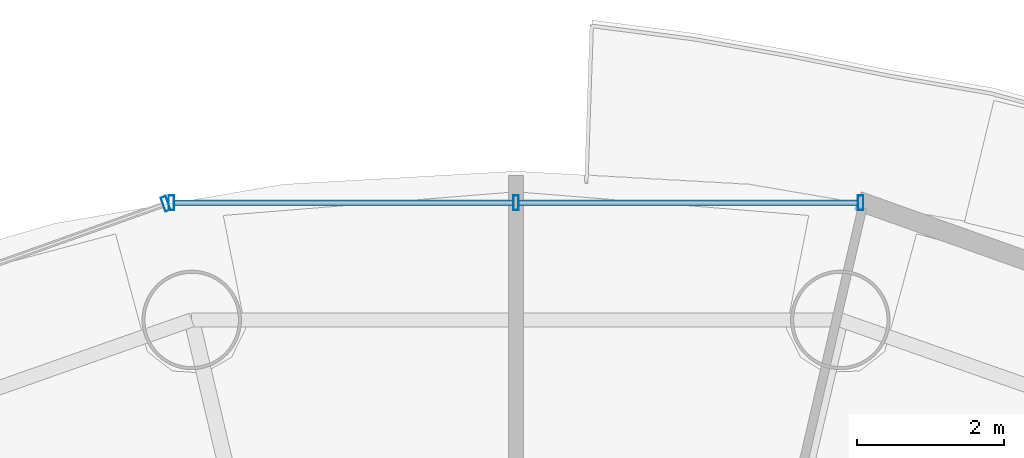
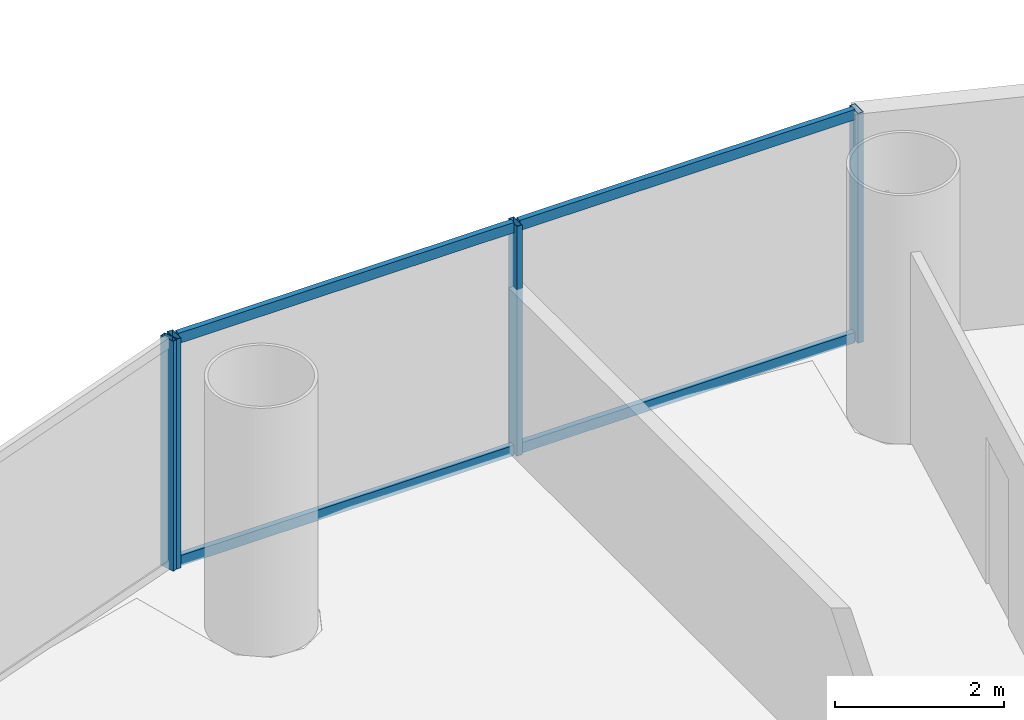
# One storey, part 17 of 27: 8 members, 2 elements without a shape of their own.
"""IFC4 building model written with IfcOpenShell, lengths in metres."""

from ifc_helpers import new_model, si_unit, direction, frame, origin, origin_2d, place, context, subcontext, project, spatial, hollow_rectangle, extrude, source, transform, mapped, material, material_profile, profile_set, type_object, element, aggregate, save


model = new_model("IFC4")

# Units and contexts
model_context = context("Model", 3, precision=1e-05, world=origin(), true_north=direction((-0.2419218956, 0.970295726276)))
body_context = subcontext(model_context, "Body", "Model", "MODEL_VIEW")
ifc_project = project(units=[si_unit("LENGTHUNIT", "METRE"), si_unit("AREAUNIT", "SQUARE_METRE"), si_unit("VOLUMEUNIT", "CUBIC_METRE"), si_unit("PLANEANGLEUNIT", "RADIAN"), si_unit("MASSUNIT", "GRAM", prefix="KILO")], contexts=[model_context])

# Site, building, storey
site_placement = place(None, origin())
site = spatial("IfcSite", under=ifc_project, at=site_placement, CompositionType="ELEMENT")
building_placement = place(site_placement, origin())
building = spatial("IfcBuilding", under=site, at=building_placement, Name="Cobrevalo Terracotta Tower", CompositionType="ELEMENT")
storey_placement = place(building_placement, frame((0.0, 0.0, 157.0)))
storey = spatial("IfcBuildingStorey", under=building, at=storey_placement, Name="L41", CompositionType="ELEMENT", Elevation=157.0)

# Curtain wall, members
ifc_material = material(Name="Anodized aluminium", Category="aluminium")
curtain_wall_type = type_object("IfcCurtainWallType", Name="Mid-tower high-wind unitised curtain wall CW-U2", PredefinedType="NOTDEFINED", material=ifc_material)
curtain_wall_1_placement = place(storey_placement, origin())
curtain_wall_1 = element("IfcCurtainWall", 1, at=curtain_wall_1_placement, inside=storey, type_object=curtain_wall_type, Name="L41 curtain wall CW-L41-S04", PredefinedType="NOTDEFINED")
ifc_material_profile_1 = material_profile(ifc_material, hollow_rectangle(XDim=0.074951171875, YDim=0.199951171875, WallThickness=0.0048828125, at=origin_2d()), Name="CWM 75x200")
ifc_profile_set_1 = profile_set([ifc_material_profile_1], Name="Anodized aluminium")
member_type_1 = type_object("IfcMemberType", Name="Lower/mid tower unitised mullion 75x200", PredefinedType="MULLION", material=ifc_profile_set_1)
shared_shape_1 = source(origin(), body_context, "Body", "SweptSolid", [
    extrude(hollow_rectangle(XDim=0.074951171875, YDim=0.199951171875, WallThickness=0.0048828125, at=origin_2d()), origin(), (0.0, 0.0, 1.0), 3.330078125),
])
member_1_placement = place(storey_placement, frame((42.67529296875, 47.1708984375, 0.0), z_axis=(0.0, 0.0, 1.0), x_axis=(-1.0, 0.0, 0.0)))
member_1 = element("IfcMember", 2, at=member_1_placement, type_object=member_type_1, Name="CW-L41-S04 vertical mullion 01", PredefinedType="MULLION", context=body_context, shape_type="MappedRepresentation", body=[
    mapped(shared_shape_1, transform((0.0, 0.0, 0.0), scale=1.0)),
])
member_2_placement = place(storey_placement, frame((38.0, 47.1708984375, 0.0), z_axis=(0.0, 0.0, 1.0), x_axis=(-1.0, 0.0, 0.0)))
member_2 = element("IfcMember", 3, at=member_2_placement, type_object=member_type_1, Name="CW-L41-S04 vertical mullion 02", PredefinedType="MULLION", context=body_context, shape_type="MappedRepresentation", body=[
    mapped(shared_shape_1, transform((0.0, 0.0, 0.0), scale=1.0)),
])
member_3_placement = place(storey_placement, frame((33.32470703125, 47.1708984375, 0.0), z_axis=(0.0, 0.0, 1.0), x_axis=(-1.0, 0.0, 0.0)))
member_3 = element("IfcMember", 4, at=member_3_placement, type_object=member_type_1, Name="CW-L41-S04 vertical mullion 03", PredefinedType="MULLION", context=body_context, shape_type="MappedRepresentation", body=[
    mapped(shared_shape_1, transform((0.0, 0.0, 0.0), scale=1.0)),
])

# Curtain wall, member
curtain_wall_2_placement = place(storey_placement, origin())
curtain_wall_2 = element("IfcCurtainWall", 5, at=curtain_wall_2_placement, inside=storey, type_object=curtain_wall_type, Name="L41 curtain wall CW-L41-S05", PredefinedType="NOTDEFINED")
member_4_placement = place(storey_placement, frame((33.2470703125, 47.157470703125, 0.0), z_axis=(0.0, 0.0, 1.0), x_axis=(-0.942098428897, -0.335336473217, 0.0)))
member_4 = element("IfcMember", 6, at=member_4_placement, type_object=member_type_1, Name="CW-L41-S05 vertical mullion 01", PredefinedType="MULLION", context=body_context, shape_type="MappedRepresentation", body=[
    mapped(shared_shape_1, transform((0.0, 0.0, 0.0), scale=1.0)),
])
aggregate(curtain_wall_2, [member_4])

# Member
ifc_material_profile_2 = material_profile(ifc_material, hollow_rectangle(XDim=0.074951171875, YDim=0.14990234375, WallThickness=0.00439453125, at=origin_2d()), Name="CWT 75x150")
ifc_profile_set_2 = profile_set([ifc_material_profile_2], Name="Anodized aluminium")
member_type_2 = type_object("IfcMemberType", Name="Tower unitised aluminium transom 75x150", PredefinedType="USERDEFINED", material=ifc_profile_set_2)
shared_shape_2 = source(origin(), body_context, "Body", "SweptSolid", [
    extrude(hollow_rectangle(XDim=0.074951171875, YDim=0.14990234375, WallThickness=0.00439453125, at=origin_2d()), origin(), (0.0, 0.0, 1.0), 4.59521484375),
])
member_5_placement = place(storey_placement, frame((42.63525390625, 47.1708984375, 0.050048828125), z_axis=(-1.0, 0.0, 0.0), x_axis=(0.0, -1.0, 0.0)))
member_5 = element("IfcMember", 7, at=member_5_placement, type_object=member_type_2, Name="CW-L41-S04 transom B01-T1", ObjectType="TRANSOM", PredefinedType="USERDEFINED", context=body_context, shape_type="MappedRepresentation", body=[
    mapped(shared_shape_2, transform((0.0, 0.0, 0.0), scale=1.0)),
])

member_6_placement = place(storey_placement, frame((42.63525390625, 47.1708984375, 3.280029296875), z_axis=(-1.0, 0.0, 0.0), x_axis=(0.0, -1.0, 0.0)))
member_6 = element("IfcMember", 8, at=member_6_placement, type_object=member_type_2, Name="CW-L41-S04 transom B01-T2", ObjectType="TRANSOM", PredefinedType="USERDEFINED", context=body_context, shape_type="MappedRepresentation", body=[
    mapped(shared_shape_2, transform((0.0, 0.0, 0.0), scale=1.0)),
])

member_7_placement = place(storey_placement, frame((37.9599609375, 47.1708984375, 0.050048828125), z_axis=(-1.0, 0.0, 0.0), x_axis=(0.0, -1.0, 0.0)))
member_7 = element("IfcMember", 9, at=member_7_placement, type_object=member_type_2, Name="CW-L41-S04 transom B02-T1", ObjectType="TRANSOM", PredefinedType="USERDEFINED", context=body_context, shape_type="MappedRepresentation", body=[
    mapped(shared_shape_2, transform((0.0, 0.0, 0.0), scale=1.0)),
])

member_8_placement = place(storey_placement, frame((37.9599609375, 47.1708984375, 3.280029296875), z_axis=(-1.0, 0.0, 0.0), x_axis=(0.0, -1.0, 0.0)))
member_8 = element("IfcMember", 10, at=member_8_placement, type_object=member_type_2, Name="CW-L41-S04 transom B02-T2", ObjectType="TRANSOM", PredefinedType="USERDEFINED", context=body_context, shape_type="MappedRepresentation", body=[
    mapped(shared_shape_2, transform((0.0, 0.0, 0.0), scale=1.0)),
])

aggregate(curtain_wall_1, [member_1, member_2, member_3, member_5, member_6, member_7, member_8])

save(model, "model.ifc")
